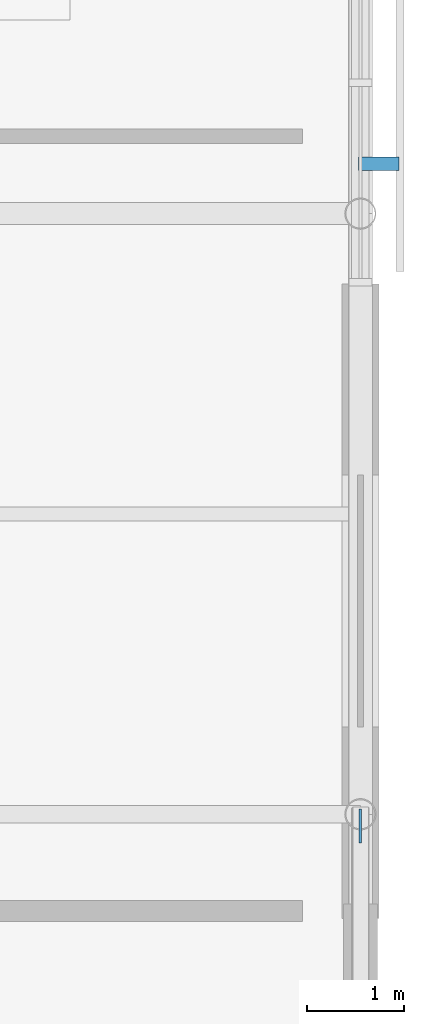
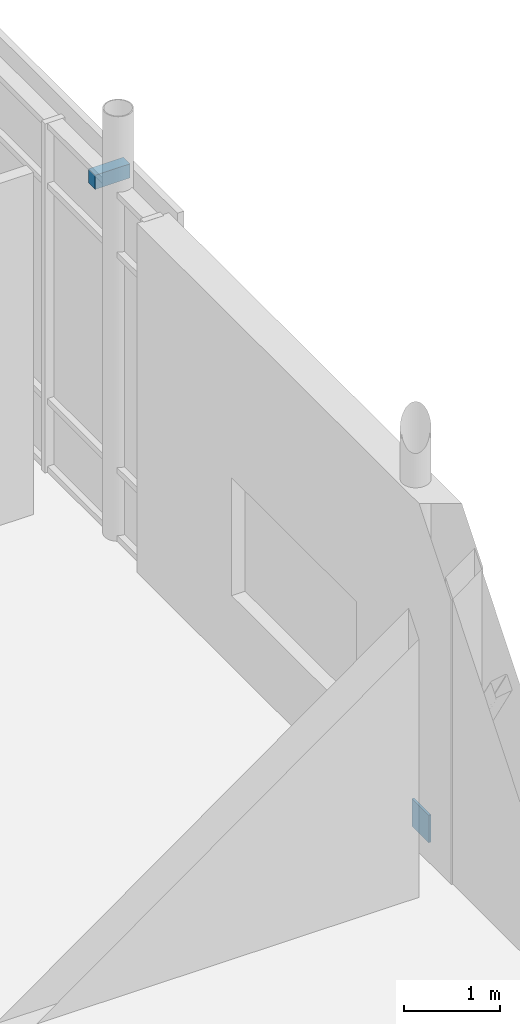
# One storey, part 87 of 105: 2 discrete accessories.
"""IFC4 building model written with IfcOpenShell, lengths in metres."""

from ifc_helpers import new_model, si_unit, direction, frame, origin, origin_2d, place, context, subcontext, project, spatial, rectangle, extrude, material, type_object, element, save


model = new_model("IFC4")

# Units and contexts
model_context = context("Model", 3, precision=1e-05, world=origin(), true_north=direction((0.0, 1.0)))
body_context = subcontext(model_context, "Body", "Model", "MODEL_VIEW")
ifc_project = project(units=[si_unit("LENGTHUNIT", "METRE"), si_unit("AREAUNIT", "SQUARE_METRE"), si_unit("VOLUMEUNIT", "CUBIC_METRE"), si_unit("PLANEANGLEUNIT", "RADIAN"), si_unit("MASSUNIT", "GRAM", prefix="KILO")], contexts=[model_context])

# Site, building, storey
site_placement = place(None, origin())
site = spatial("IfcSite", under=ifc_project, at=site_placement, CompositionType="ELEMENT")
building_placement = place(site_placement, origin())
building = spatial("IfcBuilding", under=site, at=building_placement, Name="Mirzam Square Science Centre", CompositionType="ELEMENT")
storey_placement = place(building_placement, frame((0.0, 0.0, 5.39990234375)))
storey = spatial("IfcBuildingStorey", under=building, at=storey_placement, Name="L01", CompositionType="ELEMENT", Elevation=5.39990234375)

# Discrete accessories
ifc_material = material(Name="Steel S355", Category="steel")
discrete_accessory_type_1 = type_object("IfcDiscreteAccessoryType", Name="BK-BRACE-GUSSET", PredefinedType="BRACKET", material=ifc_material)
discrete_accessory_1_placement = place(storey_placement, frame((162.0, 55.679931640625, -0.0048828125), z_axis=(0.0, 0.0, 1.0), x_axis=(0.0, 1.0, 0.0)))
element("IfcDiscreteAccessory", 1, at=discrete_accessory_1_placement, inside=storey, type_object=discrete_accessory_type_1, Name="L01 brace gusset plate 4B", PredefinedType="BRACKET", context=body_context, shape_type="SweptSolid", body=[
    extrude(rectangle(XDim=0.35009765625, YDim=0.02490234375, at=origin_2d()), origin(), (0.0, 0.0, 1.0), 0.35009765625),
])
discrete_accessory_type_2 = type_object("IfcDiscreteAccessoryType", Name="BRK-BRISE-STEEL", PredefinedType="BRACKET", material=ifc_material)
discrete_accessory_2_placement = place(storey_placement, frame((162.18994140625, 62.512939453125, 4.10009765625), z_axis=(0.0, 0.0, 1.0), x_axis=(0.0, 1.0, 0.0)))
element("IfcDiscreteAccessory", 2, at=discrete_accessory_2_placement, inside=storey, type_object=discrete_accessory_type_2, Name="L01 brise-soleil support bracket 75", PredefinedType="BRACKET", context=body_context, shape_type="SweptSolid", body=[
    extrude(rectangle(XDim=0.139892578125, YDim=0.419921875, at=origin_2d()), origin(), (0.0, 0.0, 1.0), 0.179931640625),
])

save(model, "model.ifc")
